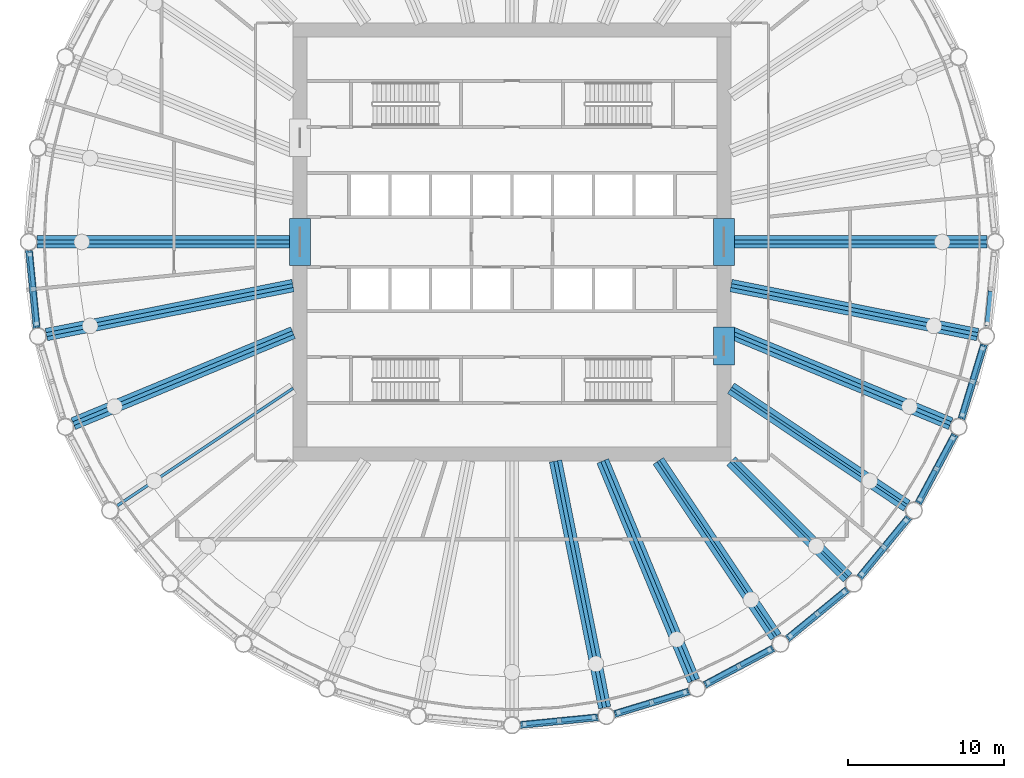
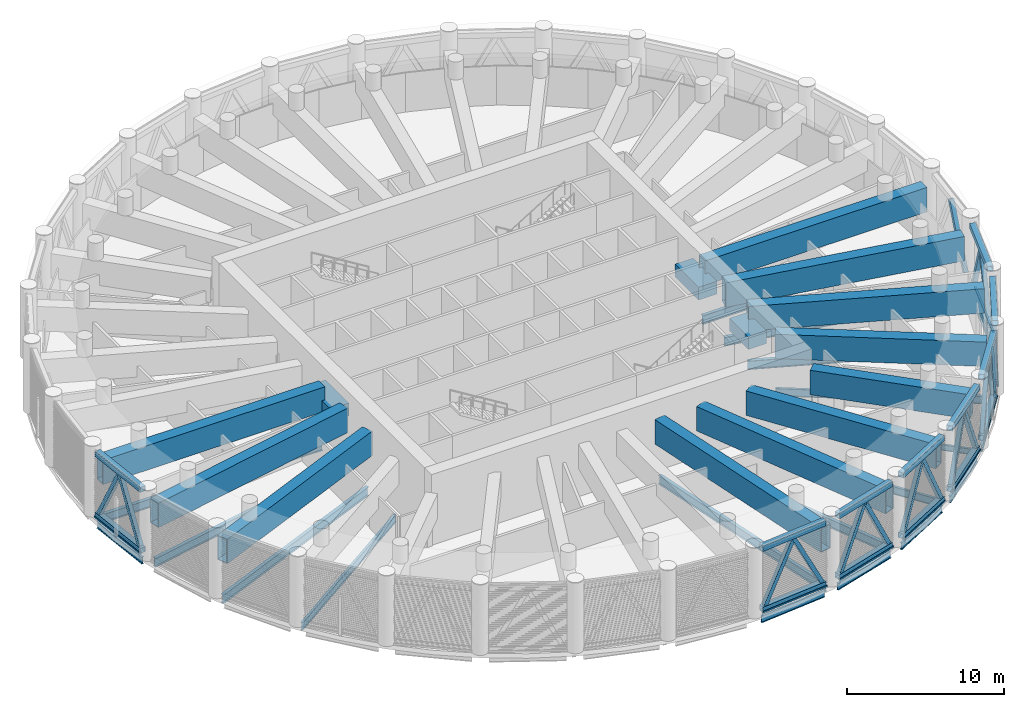
# One storey, part 2 of 23: 41 members, 34 beams, 8 elements without a shape of their own.
"""IFC4 building model written with IfcOpenShell, lengths in metres."""

from ifc_helpers import new_model, si_unit, direction, frame, origin, origin_2d, place, context, subcontext, project, spatial, rectangle, hollow_rectangle, i_section, extrude, material, material_profile, profile_set, type_object, element, aggregate, save


model = new_model("IFC4")

# Units and contexts
model_context = context("Model", 3, precision=1e-05, world=origin(), true_north=direction((0.0, 1.0)))
body_context = subcontext(model_context, "Body", "Model", "MODEL_VIEW")
ifc_project = project(units=[si_unit("LENGTHUNIT", "METRE"), si_unit("AREAUNIT", "SQUARE_METRE"), si_unit("VOLUMEUNIT", "CUBIC_METRE"), si_unit("PLANEANGLEUNIT", "RADIAN"), si_unit("MASSUNIT", "GRAM", prefix="KILO")], contexts=[model_context])

# Site, building, storey
site_placement = place(None, origin())
site = spatial("IfcSite", under=ifc_project, at=site_placement, CompositionType="ELEMENT")
building_placement = place(site_placement, origin())
building = spatial("IfcBuilding", under=site, at=building_placement, Name="Corvane Civic Tower", CompositionType="ELEMENT")
storey_placement = place(building_placement, frame((0.0, 0.0, 196.0)))
storey = spatial("IfcBuildingStorey", under=building, at=storey_placement, Name="L46", CompositionType="ELEMENT", Elevation=196.0)

# Members
ifc_material_1 = material(Name="Steel ASTM A500 Gr C", Category="steel")
ifc_material_profile_1 = material_profile(ifc_material_1, hollow_rectangle(XDim=0.406494140625, YDim=0.406494140625, WallThickness=0.0146484375, at=origin_2d()), Name="HSS16X16X5/8")
ifc_profile_set_1 = profile_set([ifc_material_profile_1], Name="Steel ASTM A500 Gr C")
member_type_1 = type_object("IfcMemberType", Name="BELT CHORD HSS16X16X5/8", PredefinedType="CHORD", material=ifc_profile_set_1)
for number, where, z_axis, x_axis, name in (
    (1, (30.146484375, -6.5546875, 4.94677734375), (-0.290269821381, -0.956944842086, 0.0), (0.956944842086, -0.290269821381, 0.0), "Belt truss BT-L46"),
    (2, (30.146484375, -6.5546875, 0.203125), (-0.290269821381, -0.956944842086, 0.0), (0.956944842086, -0.290269821381, 0.0), "Belt truss BT-L46"),
):
    element("IfcMember", number, at=place(storey_placement, frame(where, z_axis=z_axis, x_axis=x_axis)), inside=storey, type_object=member_type_1, Name=name, PredefinedType="CHORD", context=body_context, shape_type="SweptSolid", body=[
        extrude(hollow_rectangle(XDim=0.406494140625, YDim=0.406494140625, WallThickness=0.0146484375, at=origin_2d()), origin(), (0.0, 0.0, 1.0), 4.957275390625),
    ])
for number, where, z_axis, x_axis, name in (
    (3, (28.28857421875, -12.31005859375, 4.94677734375), (-0.471395763042, -0.881921784846, 0.0), (0.881921784846, -0.471395763042, 0.0), "Belt truss BT-L46"),
    (4, (28.28857421875, -12.31005859375, 0.203125), (-0.471395763042, -0.881921784846, 0.0), (0.881921784846, -0.471395763042, 0.0), "Belt truss BT-L46"),
    (5, (25.343505859375, -17.59228515625, 4.94677734375), (-0.634387546532, -0.77301516208, 0.0), (0.77301516208, -0.634387546532, 0.0), "Belt truss BT-L46"),
    (6, (25.343505859375, -17.59228515625, 0.203125), (-0.634387546532, -0.77301516208, 0.0), (0.77301516208, -0.634387546532, 0.0), "Belt truss BT-L46"),
    (7, (21.424560546875, -22.198486328125, 4.94677734375), (-0.77301516208, -0.634387546532, 0.0), (0.634387546532, -0.77301516208, 0.0), "Belt truss BT-L46"),
    (8, (21.424560546875, -22.198486328125, 0.203125), (-0.77301516208, -0.634387546532, 0.0), (0.634387546532, -0.77301516208, 0.0), "Belt truss BT-L46"),
    (9, (16.68212890625, -25.95166015625, 4.94677734375), (-0.881921784846, -0.471395763042, 0.0), (0.471395763042, -0.881921784846, 0.0), "Belt truss BT-L46"),
    (10, (16.68212890625, -25.95166015625, 0.203125), (-0.881921784846, -0.471395763042, 0.0), (0.471395763042, -0.881921784846, 0.0), "Belt truss BT-L46"),
):
    element("IfcMember", number, at=place(storey_placement, frame(where, z_axis=z_axis, x_axis=x_axis)), inside=storey, type_object=member_type_1, Name=name, PredefinedType="CHORD", context=body_context, shape_type="SweptSolid", body=[
        extrude(hollow_rectangle(XDim=0.406494140625, YDim=0.406494140625, WallThickness=0.0146484375, at=origin_2d()), origin(), (0.0, 0.0, 1.0), 4.95751953125),
    ])
for number, where, z_axis, x_axis, name in (
    (11, (11.298583984375, -28.70751953125, 4.94677734375), (-0.956944842086, -0.290269821381, 0.0), (0.290269821381, -0.956944842086, 0.0), "Belt truss BT-L46"),
    (12, (11.298583984375, -28.70751953125, 0.203125), (-0.956944842086, -0.290269821381, 0.0), (0.290269821381, -0.956944842086, 0.0), "Belt truss BT-L46"),
):
    element("IfcMember", number, at=place(storey_placement, frame(where, z_axis=z_axis, x_axis=x_axis)), inside=storey, type_object=member_type_1, Name=name, PredefinedType="CHORD", context=body_context, shape_type="SweptSolid", body=[
        extrude(hollow_rectangle(XDim=0.406494140625, YDim=0.406494140625, WallThickness=0.0146484375, at=origin_2d()), origin(), (0.0, 0.0, 1.0), 4.957275390625),
    ])
for number, where, z_axis, x_axis, name in (
    (13, (5.48095703125, -30.360107421875, 4.94677734375), (-0.995186236294, -0.09800181167, 0.0), (0.09800181167, -0.995186236294, 0.0), "Belt truss BT-L46"),
    (14, (5.48095703125, -30.360107421875, 0.203125), (-0.995186236294, -0.09800181167, 0.0), (0.09800181167, -0.995186236294, 0.0), "Belt truss BT-L46"),
    (15, (-30.360107421875, -5.48095703125, 4.94677734375), (-0.09800181167, 0.995186236294, 0.0), (-0.995186236294, -0.09800181167, 0.0), "Belt truss BT-L46"),
    (16, (-30.360107421875, -5.48095703125, 0.203125), (-0.09800181167, 0.995186236294, 0.0), (-0.995186236294, -0.09800181167, 0.0), "Belt truss BT-L46"),
):
    element("IfcMember", number, at=place(storey_placement, frame(where, z_axis=z_axis, x_axis=x_axis)), inside=storey, type_object=member_type_1, Name=name, PredefinedType="CHORD", context=body_context, shape_type="SweptSolid", body=[
        extrude(hollow_rectangle(XDim=0.406494140625, YDim=0.406494140625, WallThickness=0.0146484375, at=origin_2d()), origin(), (0.0, 0.0, 1.0), 4.95751953125),
    ])
ifc_material_2 = material(Name="Steel ASTM A500 Gr C", Category="steel")
ifc_material_profile_2 = material_profile(ifc_material_2, hollow_rectangle(XDim=0.3046875, YDim=0.3046875, WallThickness=0.01171875, at=origin_2d()), Name="HSS12X12X1/2")
ifc_profile_set_2 = profile_set([ifc_material_profile_2], Name="Steel ASTM A500 Gr C")
member_type_2 = type_object("IfcMemberType", Name="BELT DIAGONAL HSS12X12X1/2", PredefinedType="BRACE", material=ifc_profile_set_2)
for number, where, z_axis, x_axis, name in (
    (17, (30.384521484375, -5.232177734375, 0.406494140625), (0.04480977831, 0.454856799935, 0.889436549351), (-0.995182529535, 0.098039445672, 0.0), "Belt truss BT-L46"),
    (18, (30.073974609375, -6.7939453125, 0.406494140625), (-0.132676673631, -0.437382422958, 0.88943438002), (0.956941450263, -0.290281003113, 0.0), "Belt truss BT-L46"),
    (19, (28.780029296875, -11.059326171875, 0.406494140625), (0.132679578951, 0.437341932882, 0.889453856629), (-0.956932218636, 0.290311434389, 0.0), "Belt truss BT-L46"),
    (20, (28.170654296875, -12.530517578125, 0.406494140625), (-0.215438440297, -0.403089677628, 0.889440830091), (0.881937164799, -0.471366987968, 0.0), "Belt truss BT-L46"),
    (21, (26.069580078125, -16.461669921875, 0.406494140625), (0.215438440297, 0.403089677628, 0.889440830091), (-0.881937164799, 0.471366987968, 0.0), "Belt truss BT-L46"),
    (22, (25.184814453125, -17.78564453125, 0.406494140625), (-0.289942397399, -0.353278113632, 0.889453754064), (0.772994849119, -0.634412297513, 0.0), "Belt truss BT-L46"),
    (23, (22.357177734375, -21.231201171875, 0.406494140625), (0.289937268715, 0.353321931501, 0.889438020848), (-0.773038935663, 0.634358576792, 0.0), "Belt truss BT-L46"),
    (24, (21.231201171875, -22.357177734375, 0.406494140625), (-0.353321931501, -0.289937268715, 0.889438020848), (0.634358576792, -0.773038935663, 0.0), "Belt truss BT-L46"),
    (25, (17.78564453125, -25.184814453125, 0.406494140625), (0.353278113632, 0.289942397399, 0.889453754064), (-0.634412297513, 0.772994849119, 0.0), "Belt truss BT-L46"),
    (26, (16.461669921875, -26.069580078125, 0.406494140625), (-0.403089677628, -0.215438440297, 0.889440830091), (0.471366987968, -0.881937164799, 0.0), "Belt truss BT-L46"),
    (27, (12.530517578125, -28.170654296875, 0.406494140625), (0.403089677628, 0.215438440297, 0.889440830091), (-0.471366987968, 0.881937164799, 0.0), "Belt truss BT-L46"),
    (28, (11.059326171875, -28.780029296875, 0.406494140625), (-0.437341932882, -0.132679578951, 0.889453856629), (0.290311434389, -0.956932218636, 0.0), "Belt truss BT-L46"),
    (29, (6.7939453125, -30.073974609375, 0.406494140625), (0.437382422958, 0.132676673631, 0.88943438002), (-0.290281003113, 0.956941450263, 0.0), "Belt truss BT-L46"),
    (30, (5.232177734375, -30.384521484375, 0.406494140625), (-0.454856799935, -0.04480977831, 0.889436549351), (0.098039445672, -0.995182529535, 0.0), "Belt truss BT-L46"),
    (31, (0.796142578125, -30.821533203125, 0.406494140625), (0.454856799935, 0.04480977831, 0.889436549351), (-0.098039445672, 0.995182529535, 0.0), "Belt truss BT-L46"),
    (32, (-30.384521484375, -5.232177734375, 0.406494140625), (-0.04480977831, 0.454856799935, 0.889436549351), (-0.995182529535, -0.098039445672, 0.0), "Belt truss BT-L46"),
    (33, (-30.821533203125, -0.796142578125, 0.406494140625), (0.04480977831, -0.454856799935, 0.889436549351), (0.995182529535, 0.098039445672, 0.0), "Belt truss BT-L46"),
):
    element("IfcMember", number, at=place(storey_placement, frame(where, z_axis=z_axis, x_axis=x_axis)), inside=storey, type_object=member_type_2, Name=name, PredefinedType="BRACE", context=body_context, shape_type="SweptSolid", body=[
        extrude(hollow_rectangle(XDim=0.3046875, YDim=0.3046875, WallThickness=0.01171875, at=origin_2d()), origin(), (0.0, 0.0, 1.0), 4.876220703125),
    ])

# Beams
ifc_material_3 = material(Name="Concrete C60/75", Category="concrete")
ifc_material_profile_3 = material_profile(ifc_material_3, rectangle(XDim=1.35009765625, YDim=1.0, at=origin_2d()), Name="COUPLING BEAM 1350X1000")
ifc_profile_set_3 = profile_set([ifc_material_profile_3], Name="Concrete C60/75")
beam_type_1 = type_object("IfcBeamType", Name="COUPLING BEAM COUPLING BEAM 1350X1000", PredefinedType="BEAM", material=ifc_profile_set_3)
for number, where, z_axis, x_axis, name in (
    (34, (-13.550048828125, -1.5, 2.60009765625), (0.0, 1.0, 0.0), (-1.0, 0.0, 0.0), "BM-L46-cpl-CW-LW"),
    (35, (13.550048828125, -1.5, 2.60009765625), (0.0, 1.0, 0.0), (-1.0, 0.0, 0.0), "BM-L46-cpl-CW-LE"),
):
    element("IfcBeam", number, at=place(storey_placement, frame(where, z_axis=z_axis, x_axis=x_axis)), inside=storey, type_object=beam_type_1, Name=name, PredefinedType="BEAM", context=body_context, shape_type="SweptSolid", body=[
        extrude(rectangle(XDim=1.35009765625, YDim=1.0, at=origin_2d()), origin(), (0.0, 0.0, 1.0), 3.0),
    ])
beam_1_placement = place(storey_placement, frame((13.550048828125, -7.85009765625, 2.60009765625), z_axis=(0.0, 1.0, 0.0), x_axis=(-1.0, 0.0, 0.0)))
element("IfcBeam", 36, at=beam_1_placement, inside=storey, type_object=beam_type_1, Name="BM-L46-cpl-CW-ES", PredefinedType="BEAM", context=body_context, shape_type="SweptSolid", body=[
    extrude(rectangle(XDim=1.35009765625, YDim=1.0, at=origin_2d()), origin(), (0.0, 0.0, 1.0), 2.400146484375),
])
ifc_material_4 = material(Name="Steel ASTM A992 Gr 50", Category="steel")
ifc_material_profile_4 = material_profile(ifc_material_4, i_section(OverallWidth=0.165771484375, OverallDepth=0.5283203125, WebThickness=0.009765625, FlangeThickness=0.013671875, at=origin_2d()), Name="W21X50")
ifc_profile_set_4 = profile_set([ifc_material_profile_4], Name="Steel ASTM A992 Gr 50")
beam_type_2 = type_object("IfcBeamType", Name="EDGE BEAM W21X50", PredefinedType="BEAM", material=ifc_profile_set_4)
beam_2_placement = place(storey_placement, frame((30.146484375, -6.5546875, -0.6142578125), z_axis=(-0.290269821381, -0.956944842086, 0.0), x_axis=(0.956944842086, -0.290269821381, 0.0)))
element("IfcBeam", 37, at=beam_2_placement, inside=storey, type_object=beam_type_2, Name="BM-L46-E10", PredefinedType="BEAM", context=body_context, shape_type="SweptSolid", body=[
    extrude(i_section(OverallWidth=0.165771484375, OverallDepth=0.5283203125, WebThickness=0.009765625, FlangeThickness=0.013671875, at=origin_2d()), origin(), (0.0, 0.0, 1.0), 4.957275390625),
])
for number, where, z_axis, x_axis, name in (
    (38, (28.28857421875, -12.31005859375, -0.6142578125), (-0.471395763042, -0.881921784846, 0.0), (0.881921784846, -0.471395763042, 0.0), "BM-L46-E11"),
    (39, (25.343505859375, -17.59228515625, -0.6142578125), (-0.634387546532, -0.77301516208, 0.0), (0.77301516208, -0.634387546532, 0.0), "BM-L46-E12"),
    (40, (21.424560546875, -22.198486328125, -0.6142578125), (-0.77301516208, -0.634387546532, 0.0), (0.634387546532, -0.77301516208, 0.0), "BM-L46-E13"),
    (41, (16.68212890625, -25.95166015625, -0.6142578125), (-0.881921784846, -0.471395763042, 0.0), (0.471395763042, -0.881921784846, 0.0), "BM-L46-E14"),
):
    element("IfcBeam", number, at=place(storey_placement, frame(where, z_axis=z_axis, x_axis=x_axis)), inside=storey, type_object=beam_type_2, Name=name, PredefinedType="BEAM", context=body_context, shape_type="SweptSolid", body=[
        extrude(i_section(OverallWidth=0.165771484375, OverallDepth=0.5283203125, WebThickness=0.009765625, FlangeThickness=0.013671875, at=origin_2d()), origin(), (0.0, 0.0, 1.0), 4.95751953125),
    ])
beam_3_placement = place(storey_placement, frame((11.298583984375, -28.70751953125, -0.6142578125), z_axis=(-0.956944842086, -0.290269821381, 0.0), x_axis=(0.290269821381, -0.956944842086, 0.0)))
element("IfcBeam", 42, at=beam_3_placement, inside=storey, type_object=beam_type_2, Name="BM-L46-E15", PredefinedType="BEAM", context=body_context, shape_type="SweptSolid", body=[
    extrude(i_section(OverallWidth=0.165771484375, OverallDepth=0.5283203125, WebThickness=0.009765625, FlangeThickness=0.013671875, at=origin_2d()), origin(), (0.0, 0.0, 1.0), 4.957275390625),
])
for number, where, z_axis, x_axis, name in (
    (43, (5.48095703125, -30.360107421875, -0.6142578125), (-0.995186236294, -0.09800181167, 0.0), (0.09800181167, -0.995186236294, 0.0), "BM-L46-E16"),
    (44, (-30.360107421875, -5.48095703125, -0.6142578125), (-0.09800181167, 0.995186236294, 0.0), (-0.995186236294, -0.09800181167, 0.0), "BM-L46-E24"),
):
    element("IfcBeam", number, at=place(storey_placement, frame(where, z_axis=z_axis, x_axis=x_axis)), inside=storey, type_object=beam_type_2, Name=name, PredefinedType="BEAM", context=body_context, shape_type="SweptSolid", body=[
        extrude(i_section(OverallWidth=0.165771484375, OverallDepth=0.5283203125, WebThickness=0.009765625, FlangeThickness=0.013671875, at=origin_2d()), origin(), (0.0, 0.0, 1.0), 4.95751953125),
    ])
ifc_material_5 = material(Name="Steel ASTM A992 Gr 50", Category="steel")
ifc_material_profile_5 = material_profile(ifc_material_5, i_section(OverallWidth=0.15283203125, OverallDepth=0.45458984375, WebThickness=0.008056640625, FlangeThickness=0.013427734375, at=origin_2d()), Name="W18X40")
ifc_profile_set_5 = profile_set([ifc_material_profile_5], Name="Steel ASTM A992 Gr 50")
beam_type_3 = type_object("IfcBeamType", Name="FLOOR GIRDER W18X40", PredefinedType="BEAM", material=ifc_profile_set_5)
beam_4_placement = place(storey_placement, frame((14.0, -14.0, -0.577392578125), z_axis=(0.707106781187, -0.707106781187, 0.0), x_axis=(0.707106781187, 0.707106781187, 0.0)))
element("IfcBeam", 45, at=beam_4_placement, inside=storey, type_object=beam_type_3, Name="BM-L46-G13", PredefinedType="BEAM", context=body_context, shape_type="SweptSolid", body=[
    extrude(i_section(OverallWidth=0.15283203125, OverallDepth=0.45458984375, WebThickness=0.008056640625, FlangeThickness=0.013427734375, at=origin_2d()), origin(), (0.0, 0.0, 1.0), 10.551025390625),
])
ifc_material_6 = material(Name="Steel ASTM A992 Gr 50", Category="steel")
ifc_material_profile_6 = material_profile(ifc_material_6, i_section(OverallWidth=0.177978515625, OverallDepth=0.599365234375, WebThickness=0.010009765625, FlangeThickness=0.012939453125, at=origin_2d()), Name="W24X55")
ifc_profile_set_6 = profile_set([ifc_material_profile_6], Name="Steel ASTM A992 Gr 50")
beam_type_4 = type_object("IfcBeamType", Name="FLOOR GIRDER W24X55", PredefinedType="BEAM", material=ifc_profile_set_6)
for number, where, z_axis, x_axis, name in (
    (46, (14.0, -9.3544921875, -0.649658203125), (0.83146888399, -0.555571323015, 0.0), (0.555571323015, 0.83146888399, 0.0), "BM-L46-G12"),
    (47, (9.3544921875, -14.0, -0.649658203125), (0.555571323015, -0.83146888399, 0.0), (0.83146888399, 0.555571323015, 0.0), "BM-L46-G14"),
    (48, (-14.0, -9.3544921875, -0.649658203125), (-0.83146888399, -0.555571323015, 0.0), (0.555571323015, -0.83146888399, 0.0), "BM-L46-G22"),
):
    element("IfcBeam", number, at=place(storey_placement, frame(where, z_axis=z_axis, x_axis=x_axis)), inside=storey, type_object=beam_type_4, Name=name, PredefinedType="BEAM", context=body_context, shape_type="SweptSolid", body=[
        extrude(i_section(OverallWidth=0.177978515625, OverallDepth=0.599365234375, WebThickness=0.010009765625, FlangeThickness=0.012939453125, at=origin_2d()), origin(), (0.0, 0.0, 1.0), 13.512451171875),
    ])
ifc_material_7 = material(Name="Steel ASTM A992 Gr 50", Category="steel")
ifc_material_profile_7 = material_profile(ifc_material_7, i_section(OverallWidth=0.25390625, OverallDepth=0.67822265625, WebThickness=0.01171875, FlangeThickness=0.016357421875, at=origin_2d()), Name="W27X84")
ifc_profile_set_7 = profile_set([ifc_material_profile_7], Name="Steel ASTM A992 Gr 50")
beam_type_5 = type_object("IfcBeamType", Name="FLOOR GIRDER W27X84", PredefinedType="BEAM", material=ifc_profile_set_7)
beam_5_placement = place(storey_placement, frame((14.0, 0.0, -0.689208984375), z_axis=(1.0, 0.0, 0.0), x_axis=(0.0, 1.0, 0.0)))
element("IfcBeam", 49, at=beam_5_placement, inside=storey, type_object=beam_type_5, Name="BM-L46-G09", PredefinedType="BEAM", context=body_context, shape_type="SweptSolid", body=[
    extrude(i_section(OverallWidth=0.25390625, OverallDepth=0.67822265625, WebThickness=0.01171875, FlangeThickness=0.016357421875, at=origin_2d()), origin(), (0.0, 0.0, 1.0), 16.35009765625),
])
beam_6_placement = place(storey_placement, frame((14.0, -2.78466796875, -0.689208984375), z_axis=(0.980785162999, -0.195090912248, 0.0), x_axis=(0.195090912248, 0.980785162999, 0.0)))
element("IfcBeam", 50, at=beam_6_placement, inside=storey, type_object=beam_type_5, Name="BM-L46-G10", PredefinedType="BEAM", context=body_context, shape_type="SweptSolid", body=[
    extrude(i_section(OverallWidth=0.25390625, OverallDepth=0.67822265625, WebThickness=0.01171875, FlangeThickness=0.016357421875, at=origin_2d()), origin(), (0.0, 0.0, 1.0), 16.07568359375),
])
for number, where, z_axis, x_axis, name in (
    (51, (14.0, -5.799072265625, -0.689208984375), (0.923880551114, -0.38268097323, 0.0), (0.38268097323, 0.923880551114, 0.0), "BM-L46-G11"),
    (52, (5.799072265625, -14.0, -0.689208984375), (0.38268097323, -0.923880551114, 0.0), (0.923880551114, 0.38268097323, 0.0), "BM-L46-G15"),
):
    element("IfcBeam", number, at=place(storey_placement, frame(where, z_axis=z_axis, x_axis=x_axis)), inside=storey, type_object=beam_type_5, Name=name, PredefinedType="BEAM", context=body_context, shape_type="SweptSolid", body=[
        extrude(i_section(OverallWidth=0.25390625, OverallDepth=0.67822265625, WebThickness=0.01171875, FlangeThickness=0.016357421875, at=origin_2d()), origin(), (0.0, 0.0, 1.0), 15.196533203125),
    ])
beam_7_placement = place(storey_placement, frame((2.78466796875, -14.0, -0.689208984375), z_axis=(0.195090912248, -0.980785162999, 0.0), x_axis=(0.980785162999, 0.195090912248, 0.0)))
element("IfcBeam", 53, at=beam_7_placement, inside=storey, type_object=beam_type_5, Name="BM-L46-G16", PredefinedType="BEAM", context=body_context, shape_type="SweptSolid", body=[
    extrude(i_section(OverallWidth=0.25390625, OverallDepth=0.67822265625, WebThickness=0.01171875, FlangeThickness=0.016357421875, at=origin_2d()), origin(), (0.0, 0.0, 1.0), 16.07568359375),
])
beam_8_placement = place(storey_placement, frame((-14.0, -5.799072265625, -0.689208984375), z_axis=(-0.923880551114, -0.38268097323, 0.0), x_axis=(0.38268097323, -0.923880551114, 0.0)))
element("IfcBeam", 54, at=beam_8_placement, inside=storey, type_object=beam_type_5, Name="BM-L46-G23", PredefinedType="BEAM", context=body_context, shape_type="SweptSolid", body=[
    extrude(i_section(OverallWidth=0.25390625, OverallDepth=0.67822265625, WebThickness=0.01171875, FlangeThickness=0.016357421875, at=origin_2d()), origin(), (0.0, 0.0, 1.0), 15.196533203125),
])
beam_9_placement = place(storey_placement, frame((-14.0, -2.78466796875, -0.689208984375), z_axis=(-0.980785162999, -0.195090912248, 0.0), x_axis=(0.195090912248, -0.980785162999, 0.0)))
element("IfcBeam", 55, at=beam_9_placement, inside=storey, type_object=beam_type_5, Name="BM-L46-G24", PredefinedType="BEAM", context=body_context, shape_type="SweptSolid", body=[
    extrude(i_section(OverallWidth=0.25390625, OverallDepth=0.67822265625, WebThickness=0.01171875, FlangeThickness=0.016357421875, at=origin_2d()), origin(), (0.0, 0.0, 1.0), 16.07568359375),
])
beam_10_placement = place(storey_placement, frame((-14.0, 0.0, -0.689208984375), z_axis=(-1.0, 0.0, 0.0), x_axis=(0.0, -1.0, 0.0)))
element("IfcBeam", 56, at=beam_10_placement, inside=storey, type_object=beam_type_5, Name="BM-L46-G25", PredefinedType="BEAM", context=body_context, shape_type="SweptSolid", body=[
    extrude(i_section(OverallWidth=0.25390625, OverallDepth=0.67822265625, WebThickness=0.01171875, FlangeThickness=0.016357421875, at=origin_2d()), origin(), (0.0, 0.0, 1.0), 16.35009765625),
])

# Curtain wall, member
ifc_material_8 = material(Name="Anodised aluminium bronze", Category="aluminium")
curtain_wall_type = type_object("IfcCurtainWallType", Name="TOWER CW-LV LOUVRE SCREEN WALL", PredefinedType="NOTDEFINED", material=ifc_material_8)
curtain_wall_1_placement = place(storey_placement, origin())
curtain_wall_1 = element("IfcCurtainWall", 57, at=curtain_wall_1_placement, inside=storey, type_object=curtain_wall_type, Name="Louvre screen wall CW-LV L46 bay 10", PredefinedType="NOTDEFINED")
ifc_material_9 = material(Name="Anodised aluminium bronze", Category="aluminium")
ifc_material_profile_8 = material_profile(ifc_material_9, rectangle(XDim=0.139892578125, YDim=0.1201171875, at=origin_2d()), Name="TOWER CW-LV TRANSOM 140x120")
ifc_profile_set_8 = profile_set([ifc_material_profile_8], Name="Anodised aluminium bronze")
member_type_3 = type_object("IfcMemberType", Name="TOWER CW-LV TRANSOM 140x120", PredefinedType="USERDEFINED", material=ifc_profile_set_8)
member_1_placement = place(storey_placement, frame((30.33544921875, -6.54931640625, 0.06005859375), z_axis=(-0.290288977061, -0.956939031389, 0.0), x_axis=(0.956939031389, -0.290288977061, 0.0)))
member_1 = element("IfcMember", 58, at=member_1_placement, type_object=member_type_3, Name="Transom CW-LV L46 10.1", ObjectType="TRANSOM", PredefinedType="USERDEFINED", context=body_context, shape_type="SweptSolid", body=[
    extrude(rectangle(XDim=0.139892578125, YDim=0.1201171875, at=origin_2d()), origin(), (0.0, 0.0, 1.0), 5.077392578125),
])
aggregate(curtain_wall_1, [member_1])

curtain_wall_2_placement = place(storey_placement, origin())
curtain_wall_2 = element("IfcCurtainWall", 59, at=curtain_wall_2_placement, inside=storey, type_object=curtain_wall_type, Name="Louvre screen wall CW-LV L46 bay 11", PredefinedType="NOTDEFINED")
member_2_placement = place(storey_placement, frame((28.474853515625, -12.341552734375, 0.06005859375), z_axis=(-0.471396615074, -0.881921329426, 0.0), x_axis=(0.881921329426, -0.471396615074, 0.0)))
member_2 = element("IfcMember", 60, at=member_2_placement, type_object=member_type_3, Name="Transom CW-LV L46 11.1", ObjectType="TRANSOM", PredefinedType="USERDEFINED", context=body_context, shape_type="SweptSolid", body=[
    extrude(rectangle(XDim=0.139892578125, YDim=0.1201171875, at=origin_2d()), origin(), (0.0, 0.0, 1.0), 5.07763671875),
])
aggregate(curtain_wall_2, [member_2])

curtain_wall_3_placement = place(storey_placement, origin())
curtain_wall_3 = element("IfcCurtainWall", 61, at=curtain_wall_3_placement, inside=storey, type_object=curtain_wall_type, Name="Louvre screen wall CW-LV L46 bay 12", PredefinedType="NOTDEFINED")
member_3_placement = place(storey_placement, frame((25.519775390625, -17.65966796875, 0.06005859375), z_axis=(-0.634386611146, -0.773015929719, 0.0), x_axis=(0.773015929719, -0.634386611146, 0.0)))
member_3 = element("IfcMember", 62, at=member_3_placement, type_object=member_type_3, Name="Transom CW-LV L46 12.1", ObjectType="TRANSOM", PredefinedType="USERDEFINED", context=body_context, shape_type="SweptSolid", body=[
    extrude(rectangle(XDim=0.139892578125, YDim=0.1201171875, at=origin_2d()), origin(), (0.0, 0.0, 1.0), 5.0771484375),
])
aggregate(curtain_wall_3, [member_3])

curtain_wall_4_placement = place(storey_placement, origin())
curtain_wall_4 = element("IfcCurtainWall", 63, at=curtain_wall_4_placement, inside=storey, type_object=curtain_wall_type, Name="Louvre screen wall CW-LV L46 bay 13", PredefinedType="NOTDEFINED")
member_4_placement = place(storey_placement, frame((21.58447265625, -22.298828125, 0.06005859375), z_axis=(-0.773015929719, -0.634386611146, 0.0), x_axis=(0.634386611146, -0.773015929719, 0.0)))
member_4 = element("IfcMember", 64, at=member_4_placement, type_object=member_type_3, Name="Transom CW-LV L46 13.1", ObjectType="TRANSOM", PredefinedType="USERDEFINED", context=body_context, shape_type="SweptSolid", body=[
    extrude(rectangle(XDim=0.139892578125, YDim=0.1201171875, at=origin_2d()), origin(), (0.0, 0.0, 1.0), 5.0771484375),
])
aggregate(curtain_wall_4, [member_4])

curtain_wall_5_placement = place(storey_placement, origin())
curtain_wall_5 = element("IfcCurtainWall", 65, at=curtain_wall_5_placement, inside=storey, type_object=curtain_wall_type, Name="Louvre screen wall CW-LV L46 bay 14", PredefinedType="NOTDEFINED")
member_5_placement = place(storey_placement, frame((16.819580078125, -26.081298828125, 0.06005859375), z_axis=(-0.881921329426, -0.471396615074, 0.0), x_axis=(0.471396615074, -0.881921329426, 0.0)))
member_5 = element("IfcMember", 66, at=member_5_placement, type_object=member_type_3, Name="Transom CW-LV L46 14.1", ObjectType="TRANSOM", PredefinedType="USERDEFINED", context=body_context, shape_type="SweptSolid", body=[
    extrude(rectangle(XDim=0.139892578125, YDim=0.1201171875, at=origin_2d()), origin(), (0.0, 0.0, 1.0), 5.07763671875),
])
aggregate(curtain_wall_5, [member_5])

curtain_wall_6_placement = place(storey_placement, origin())
curtain_wall_6 = element("IfcCurtainWall", 67, at=curtain_wall_6_placement, inside=storey, type_object=curtain_wall_type, Name="Louvre screen wall CW-LV L46 bay 15", PredefinedType="NOTDEFINED")
member_6_placement = place(storey_placement, frame((11.407958984375, -28.861572265625, 0.06005859375), z_axis=(-0.956939031389, -0.290288977061, 0.0), x_axis=(0.290288977061, -0.956939031389, 0.0)))
member_6 = element("IfcMember", 68, at=member_6_placement, type_object=member_type_3, Name="Transom CW-LV L46 15.1", ObjectType="TRANSOM", PredefinedType="USERDEFINED", context=body_context, shape_type="SweptSolid", body=[
    extrude(rectangle(XDim=0.139892578125, YDim=0.1201171875, at=origin_2d()), origin(), (0.0, 0.0, 1.0), 5.077392578125),
])
aggregate(curtain_wall_6, [member_6])

curtain_wall_7_placement = place(storey_placement, origin())
curtain_wall_7 = element("IfcCurtainWall", 69, at=curtain_wall_7_placement, inside=storey, type_object=curtain_wall_type, Name="Louvre screen wall CW-LV L46 bay 16", PredefinedType="NOTDEFINED")
member_7_placement = place(storey_placement, frame((5.558349609375, -30.53271484375, 0.06005859375), z_axis=(-0.995187423416, -0.097989755963, 0.0), x_axis=(0.097989755963, -0.995187423416, 0.0)))
member_7 = element("IfcMember", 70, at=member_7_placement, type_object=member_type_3, Name="Transom CW-LV L46 16.1", ObjectType="TRANSOM", PredefinedType="USERDEFINED", context=body_context, shape_type="SweptSolid", body=[
    extrude(rectangle(XDim=0.139892578125, YDim=0.1201171875, at=origin_2d()), origin(), (0.0, 0.0, 1.0), 5.07763671875),
])
aggregate(curtain_wall_7, [member_7])

curtain_wall_8_placement = place(storey_placement, origin())
curtain_wall_8 = element("IfcCurtainWall", 71, at=curtain_wall_8_placement, inside=storey, type_object=curtain_wall_type, Name="Louvre screen wall CW-LV L46 bay 24", PredefinedType="NOTDEFINED")
member_8_placement = place(storey_placement, frame((-30.53271484375, -5.558349609375, 0.06005859375), z_axis=(-0.097989755963, 0.995187423416, 0.0), x_axis=(-0.995187423416, -0.097989755963, 0.0)))
member_8 = element("IfcMember", 72, at=member_8_placement, type_object=member_type_3, Name="Transom CW-LV L46 24.1", ObjectType="TRANSOM", PredefinedType="USERDEFINED", context=body_context, shape_type="SweptSolid", body=[
    extrude(rectangle(XDim=0.139892578125, YDim=0.1201171875, at=origin_2d()), origin(), (0.0, 0.0, 1.0), 5.07763671875),
])
aggregate(curtain_wall_8, [member_8])

# Beams
ifc_material_10 = material(Name="Steel ASTM A572 Gr 50", Category="steel")
ifc_material_profile_9 = material_profile(ifc_material_10, hollow_rectangle(XDim=0.800048828125, YDim=1.89990234375, WallThickness=0.050048828125, at=origin_2d()), Name="BOX1900X800X50")
ifc_profile_set_9 = profile_set([ifc_material_profile_9], Name="Steel ASTM A572 Gr 50")
beam_type_6 = type_object("IfcBeamType", Name="TRANSFER GIRDER BOX1900X800X50", PredefinedType="BEAM", material=ifc_profile_set_9)
beam_11_placement = place(storey_placement, frame((14.0, 0.0, 3.14990234375), z_axis=(1.0, 0.0, 0.0), x_axis=(0.0, 1.0, 0.0)))
element("IfcBeam", 73, at=beam_11_placement, inside=storey, type_object=beam_type_6, Name="Transfer girder TG-L46-9", PredefinedType="BEAM", context=body_context, shape_type="SweptSolid", body=[
    extrude(hollow_rectangle(XDim=0.800048828125, YDim=1.89990234375, WallThickness=0.050048828125, at=origin_2d()), origin(), (0.0, 0.0, 1.0), 16.35009765625),
])
beam_12_placement = place(storey_placement, frame((14.0, -2.78466796875, 3.14990234375), z_axis=(0.980785162999, -0.195090912248, 0.0), x_axis=(0.195090912248, 0.980785162999, 0.0)))
element("IfcBeam", 74, at=beam_12_placement, inside=storey, type_object=beam_type_6, Name="Transfer girder TG-L46-10", PredefinedType="BEAM", context=body_context, shape_type="SweptSolid", body=[
    extrude(hollow_rectangle(XDim=0.800048828125, YDim=1.89990234375, WallThickness=0.050048828125, at=origin_2d()), origin(), (0.0, 0.0, 1.0), 16.07568359375),
])
beam_13_placement = place(storey_placement, frame((14.0, -5.799072265625, 3.14990234375), z_axis=(0.923880551114, -0.38268097323, 0.0), x_axis=(0.38268097323, 0.923880551114, 0.0)))
element("IfcBeam", 75, at=beam_13_placement, inside=storey, type_object=beam_type_6, Name="Transfer girder TG-L46-11", PredefinedType="BEAM", context=body_context, shape_type="SweptSolid", body=[
    extrude(hollow_rectangle(XDim=0.800048828125, YDim=1.89990234375, WallThickness=0.050048828125, at=origin_2d()), origin(), (0.0, 0.0, 1.0), 15.196533203125),
])
beam_14_placement = place(storey_placement, frame((14.0, -9.3544921875, 3.14990234375), z_axis=(0.83146888399, -0.555571323015, 0.0), x_axis=(0.555571323015, 0.83146888399, 0.0)))
element("IfcBeam", 76, at=beam_14_placement, inside=storey, type_object=beam_type_6, Name="Transfer girder TG-L46-12", PredefinedType="BEAM", context=body_context, shape_type="SweptSolid", body=[
    extrude(hollow_rectangle(XDim=0.800048828125, YDim=1.89990234375, WallThickness=0.050048828125, at=origin_2d()), origin(), (0.0, 0.0, 1.0), 13.512451171875),
])
beam_15_placement = place(storey_placement, frame((14.0, -14.0, 3.14990234375), z_axis=(0.707106781187, -0.707106781187, 0.0), x_axis=(0.707106781187, 0.707106781187, 0.0)))
element("IfcBeam", 77, at=beam_15_placement, inside=storey, type_object=beam_type_6, Name="Transfer girder TG-L46-13", PredefinedType="BEAM", context=body_context, shape_type="SweptSolid", body=[
    extrude(hollow_rectangle(XDim=0.800048828125, YDim=1.89990234375, WallThickness=0.050048828125, at=origin_2d()), origin(), (0.0, 0.0, 1.0), 10.551025390625),
])
beam_16_placement = place(storey_placement, frame((9.3544921875, -14.0, 3.14990234375), z_axis=(0.555571323015, -0.83146888399, 0.0), x_axis=(0.83146888399, 0.555571323015, 0.0)))
element("IfcBeam", 78, at=beam_16_placement, inside=storey, type_object=beam_type_6, Name="Transfer girder TG-L46-14", PredefinedType="BEAM", context=body_context, shape_type="SweptSolid", body=[
    extrude(hollow_rectangle(XDim=0.800048828125, YDim=1.89990234375, WallThickness=0.050048828125, at=origin_2d()), origin(), (0.0, 0.0, 1.0), 13.512451171875),
])
beam_17_placement = place(storey_placement, frame((5.799072265625, -14.0, 3.14990234375), z_axis=(0.38268097323, -0.923880551114, 0.0), x_axis=(0.923880551114, 0.38268097323, 0.0)))
element("IfcBeam", 79, at=beam_17_placement, inside=storey, type_object=beam_type_6, Name="Transfer girder TG-L46-15", PredefinedType="BEAM", context=body_context, shape_type="SweptSolid", body=[
    extrude(hollow_rectangle(XDim=0.800048828125, YDim=1.89990234375, WallThickness=0.050048828125, at=origin_2d()), origin(), (0.0, 0.0, 1.0), 15.196533203125),
])
beam_18_placement = place(storey_placement, frame((2.78466796875, -14.0, 3.14990234375), z_axis=(0.195090912248, -0.980785162999, 0.0), x_axis=(0.980785162999, 0.195090912248, 0.0)))
element("IfcBeam", 80, at=beam_18_placement, inside=storey, type_object=beam_type_6, Name="Transfer girder TG-L46-16", PredefinedType="BEAM", context=body_context, shape_type="SweptSolid", body=[
    extrude(hollow_rectangle(XDim=0.800048828125, YDim=1.89990234375, WallThickness=0.050048828125, at=origin_2d()), origin(), (0.0, 0.0, 1.0), 16.07568359375),
])
beam_19_placement = place(storey_placement, frame((-14.0, -5.799072265625, 3.14990234375), z_axis=(-0.923880551114, -0.38268097323, 0.0), x_axis=(0.38268097323, -0.923880551114, 0.0)))
element("IfcBeam", 81, at=beam_19_placement, inside=storey, type_object=beam_type_6, Name="Transfer girder TG-L46-23", PredefinedType="BEAM", context=body_context, shape_type="SweptSolid", body=[
    extrude(hollow_rectangle(XDim=0.800048828125, YDim=1.89990234375, WallThickness=0.050048828125, at=origin_2d()), origin(), (0.0, 0.0, 1.0), 15.196533203125),
])
beam_20_placement = place(storey_placement, frame((-14.0, -2.78466796875, 3.14990234375), z_axis=(-0.980785162999, -0.195090912248, 0.0), x_axis=(0.195090912248, -0.980785162999, 0.0)))
element("IfcBeam", 82, at=beam_20_placement, inside=storey, type_object=beam_type_6, Name="Transfer girder TG-L46-24", PredefinedType="BEAM", context=body_context, shape_type="SweptSolid", body=[
    extrude(hollow_rectangle(XDim=0.800048828125, YDim=1.89990234375, WallThickness=0.050048828125, at=origin_2d()), origin(), (0.0, 0.0, 1.0), 16.07568359375),
])
beam_21_placement = place(storey_placement, frame((-14.0, 0.0, 3.14990234375), z_axis=(-1.0, 0.0, 0.0), x_axis=(0.0, -1.0, 0.0)))
element("IfcBeam", 83, at=beam_21_placement, inside=storey, type_object=beam_type_6, Name="Transfer girder TG-L46-25", PredefinedType="BEAM", context=body_context, shape_type="SweptSolid", body=[
    extrude(hollow_rectangle(XDim=0.800048828125, YDim=1.89990234375, WallThickness=0.050048828125, at=origin_2d()), origin(), (0.0, 0.0, 1.0), 16.35009765625),
])

save(model, "model.ifc")
